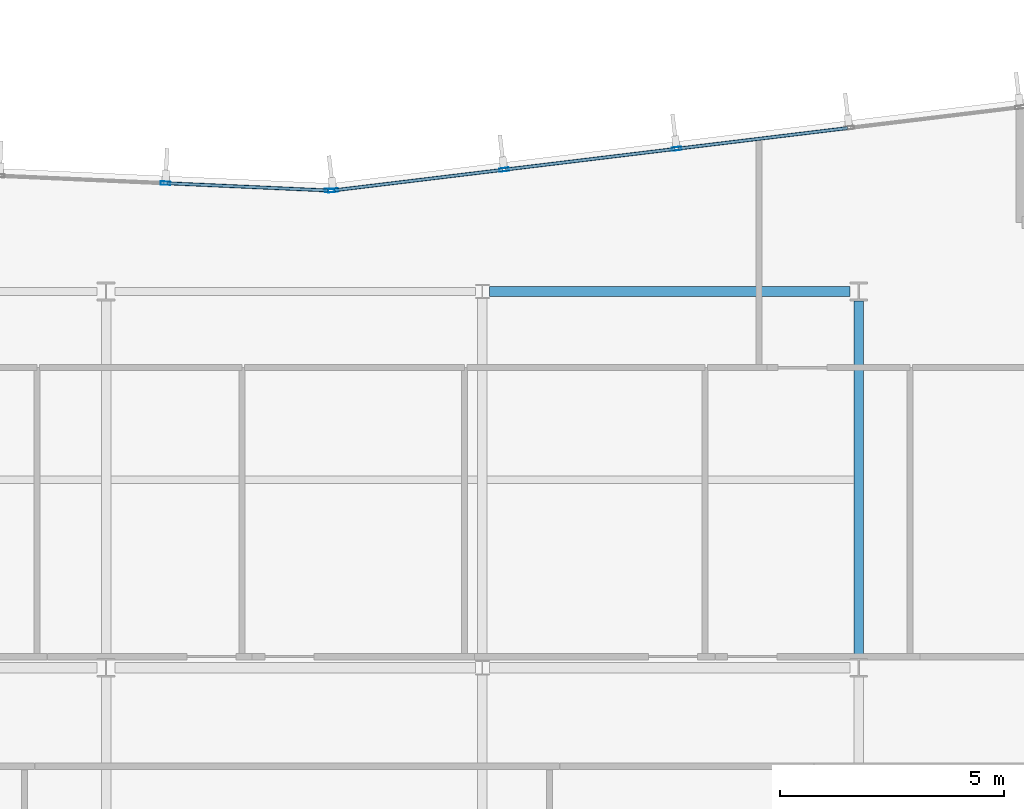
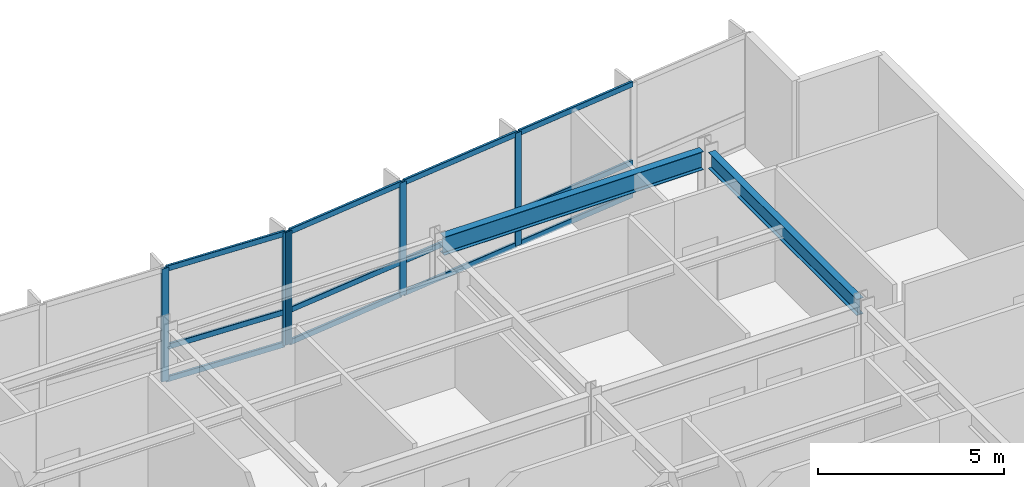
# One storey, part 6 of 17: 17 members, 2 beams, 2 elements without a shape of their own.
"""IFC4 building model written with IfcOpenShell, lengths in metres."""

from ifc_helpers import new_model, si_unit, direction, frame, origin, origin_2d, place, context, subcontext, project, spatial, hollow_rectangle, i_section, extrude, material, layer, layer_set, material_profile, profile_set, type_object, element, aggregate, save


model = new_model("IFC4")

# Units and contexts
model_context = context("Model", 3, precision=1e-05, world=origin(), true_north=direction((0.0, 1.0)))
body_context = subcontext(model_context, "Body", "Model", "MODEL_VIEW")
ifc_project = project(units=[si_unit("LENGTHUNIT", "METRE"), si_unit("AREAUNIT", "SQUARE_METRE"), si_unit("VOLUMEUNIT", "CUBIC_METRE"), si_unit("PLANEANGLEUNIT", "RADIAN"), si_unit("MASSUNIT", "GRAM", prefix="KILO")], contexts=[model_context])

# Site, building, storey
site_placement = place(None, origin())
site = spatial("IfcSite", under=ifc_project, at=site_placement, CompositionType="ELEMENT")
building_placement = place(site_placement, origin())
building = spatial("IfcBuilding", under=site, at=building_placement, Name="Varnakote Quay Hospital", CompositionType="ELEMENT")
storey_placement = place(building_placement, frame((0.0, 0.0, 111.25)))
storey = spatial("IfcBuildingStorey", under=building, at=storey_placement, Name="L27", CompositionType="ELEMENT", Elevation=111.25)

# Beams
ifc_material_1 = material(Name="Structural steel AS/NZS 3679.1 Grade 350 L0 (fy 340 MPa)", Category="steel")
ifc_material_profile_1 = material_profile(ifc_material_1, i_section(OverallWidth=0.208984375, OverallDepth=0.532958984375, WebThickness=0.01025390625, FlangeThickness=0.015625, FilletRadius=0.013916015625, at=origin_2d()), Name="530UB92.4")
ifc_profile_set_1 = profile_set([ifc_material_profile_1], Name="Structural steel AS/NZS 3679.1 Grade 350 L0 (fy 340 MPa)")
beam_type_1 = type_object("IfcBeamType", Name="BM-STL-530UB92-4", PredefinedType="BEAM", material=ifc_profile_set_1)
beam_1_placement = place(storey_placement, frame((50.39990234375, 20.610107421875, 3.443603515625), z_axis=(0.0, 1.0, 0.0), x_axis=(-1.0, 0.0, 0.0)))
element("IfcBeam", 1, at=beam_1_placement, inside=storey, type_object=beam_type_1, Name="L27 Primary Tie Beam", PredefinedType="BEAM", context=body_context, shape_type="SweptSolid", body=[
    extrude(i_section(OverallWidth=0.208984375, OverallDepth=0.532958984375, WebThickness=0.01025390625, FlangeThickness=0.015625, FilletRadius=0.013916015625, at=origin_2d()), origin(), (0.0, 0.0, 1.0), 7.97998046875),
])
ifc_material_2 = material(Name="Structural steel AS/NZS 3679.1 Grade 350 L0 (fy 340 MPa)", Category="steel")
ifc_material_profile_2 = material_profile(ifc_material_2, i_section(OverallWidth=0.22802734375, OverallDepth=0.60205078125, WebThickness=0.010498046875, FlangeThickness=0.014892578125, FilletRadius=0.013916015625, at=origin_2d()), Name="610UB101")
ifc_profile_set_2 = profile_set([ifc_material_profile_2], Name="Structural steel AS/NZS 3679.1 Grade 350 L0 (fy 340 MPa)")
beam_type_2 = type_object("IfcBeamType", Name="BM-STL-610UB101", PredefinedType="BEAM", material=ifc_profile_set_2)
beam_2_placement = place(storey_placement, frame((42.154541015625, 28.800048828125, 3.408935546875), z_axis=(1.0, 0.0, 0.0), x_axis=(0.0, 1.0, 0.0)))
element("IfcBeam", 2, at=beam_2_placement, inside=storey, type_object=beam_type_2, Name="L27 Primary Floor Beam", PredefinedType="BEAM", context=body_context, shape_type="SweptSolid", body=[
    extrude(i_section(OverallWidth=0.22802734375, OverallDepth=0.60205078125, WebThickness=0.010498046875, FlangeThickness=0.014892578125, FilletRadius=0.013916015625, at=origin_2d()), origin(), (0.0, 0.0, 1.0), 8.04541015625),
])

# Curtain wall, members
ifc_material_3 = material(Name="Anodised aluminium 6063-T6 Bronze", Category="aluminium")
ifc_layer = layer(ifc_material_3, 0.205078125)
ifc_layer_set = layer_set([ifc_layer], Name="Anodised aluminium 6063-T6 Bronze")
curtain_wall_type = type_object("IfcCurtainWallType", Name="CW-SYS-3", PredefinedType="NOTDEFINED", material=ifc_layer_set)
curtain_wall_1_placement = place(storey_placement, origin())
curtain_wall_1 = element("IfcCurtainWall", 3, at=curtain_wall_1_placement, inside=storey, type_object=curtain_wall_type, Name="L27 Unitised Bronze Curtain Wall 1", PredefinedType="NOTDEFINED")
ifc_material_4 = material(Name="Anodised aluminium 6063-T6 Bronze", Category="aluminium")
ifc_material_profile_3 = material_profile(ifc_material_4, hollow_rectangle(XDim=0.074951171875, YDim=0.219970703125, WallThickness=0.00439453125, InnerFilletRadius=0.00439453125, OuterFilletRadius=0.009033203125, at=origin_2d()), Name="CW-MULL-220x75")
ifc_profile_set_3 = profile_set([ifc_material_profile_3], Name="Anodised aluminium 6063-T6 Bronze")
member_type_1 = type_object("IfcMemberType", Name="CW-MULL-220x75", PredefinedType="MULLION", material=ifc_profile_set_3)
member_1_placement = place(storey_placement, frame((46.3349609375, 31.985595703125, 0.0), z_axis=(0.0, 0.0, 1.0), x_axis=(0.12032713492, -0.992734295067, 0.0)))
member_1 = element("IfcMember", 4, at=member_1_placement, type_object=member_type_1, Name="-3-L27-1 mullion 3", PredefinedType="MULLION", context=body_context, shape_type="SweptSolid", body=[
    extrude(hollow_rectangle(XDim=0.074951171875, YDim=0.219970703125, WallThickness=0.00439453125, InnerFilletRadius=0.00439453125, OuterFilletRadius=0.009033203125, at=origin_2d()), origin(), (0.0, 0.0, 1.0), 3.7099609375),
])
member_2_placement = place(storey_placement, frame((42.482666015625, 31.5185546875, 0.0), z_axis=(0.0, 0.0, 1.0), x_axis=(0.12032713492, -0.992734295067, 0.0)))
member_2 = element("IfcMember", 5, at=member_2_placement, type_object=member_type_1, Name="-3-L27-1 mullion 4", PredefinedType="MULLION", context=body_context, shape_type="SweptSolid", body=[
    extrude(hollow_rectangle(XDim=0.074951171875, YDim=0.219970703125, WallThickness=0.00439453125, InnerFilletRadius=0.00439453125, OuterFilletRadius=0.009033203125, at=origin_2d()), origin(), (0.0, 0.0, 1.0), 3.7099609375),
])
member_3_placement = place(storey_placement, frame((38.667236328125, 31.05615234375, 0.0), z_axis=(0.0, 0.0, 1.0), x_axis=(0.12032713492, -0.992734295067, 0.0)))
member_3 = element("IfcMember", 6, at=member_3_placement, type_object=member_type_1, Name="-3-L27-1 mullion 5", PredefinedType="MULLION", context=body_context, shape_type="SweptSolid", body=[
    extrude(hollow_rectangle(XDim=0.074951171875, YDim=0.219970703125, WallThickness=0.00439453125, InnerFilletRadius=0.00439453125, OuterFilletRadius=0.009033203125, at=origin_2d()), origin(), (0.0, 0.0, 1.0), 3.7099609375),
])

curtain_wall_2_placement = place(storey_placement, origin())
curtain_wall_2 = element("IfcCurtainWall", 7, at=curtain_wall_2_placement, inside=storey, type_object=curtain_wall_type, Name="L27 Unitised Bronze Curtain Wall 2", PredefinedType="NOTDEFINED")
member_4_placement = place(storey_placement, frame((38.592529296875, 31.05322265625, 0.0), z_axis=(0.0, 0.0, 1.0), x_axis=(-0.044782334659, -0.998996768014, 0.0)))
member_4 = element("IfcMember", 8, at=member_4_placement, type_object=member_type_1, Name="-3-L27-2 mullion 1", PredefinedType="MULLION", context=body_context, shape_type="SweptSolid", body=[
    extrude(hollow_rectangle(XDim=0.074951171875, YDim=0.219970703125, WallThickness=0.00439453125, InnerFilletRadius=0.00439453125, OuterFilletRadius=0.009033203125, at=origin_2d()), origin(), (0.0, 0.0, 1.0), 3.7099609375),
])
member_5_placement = place(storey_placement, frame((34.927001953125, 31.217529296875, 0.0), z_axis=(0.0, 0.0, 1.0), x_axis=(-0.044782334659, -0.998996768014, 0.0)))
member_5 = element("IfcMember", 9, at=member_5_placement, type_object=member_type_1, Name="-3-L27-2 mullion 2", PredefinedType="MULLION", context=body_context, shape_type="SweptSolid", body=[
    extrude(hollow_rectangle(XDim=0.074951171875, YDim=0.219970703125, WallThickness=0.00439453125, InnerFilletRadius=0.00439453125, OuterFilletRadius=0.009033203125, at=origin_2d()), origin(), (0.0, 0.0, 1.0), 3.7099609375),
])

# Member
ifc_material_5 = material(Name="Anodised aluminium 6063-T6 Bronze", Category="aluminium")
ifc_material_profile_4 = material_profile(ifc_material_5, hollow_rectangle(XDim=0.074951171875, YDim=0.179931640625, WallThickness=0.004150390625, InnerFilletRadius=0.004150390625, OuterFilletRadius=0.00830078125, at=origin_2d()), Name="CW-TRAN-180x75")
ifc_profile_set_4 = profile_set([ifc_material_profile_4], Name="Anodised aluminium 6063-T6 Bronze")
member_type_2 = type_object("IfcMemberType", Name="CW-TRAN-180x75", PredefinedType="USERDEFINED", material=ifc_profile_set_4)
member_6_placement = place(storey_placement, frame((50.150390625, 32.447998046875, 0.03759765625), z_axis=(-0.992731924158, -0.120346694005, 0.0), x_axis=(0.120346694005, -0.992731924158, 0.0)))
member_6 = element("IfcMember", 10, at=member_6_placement, type_object=member_type_2, Name="-3-L27-1 transom 2.1", ObjectType="TRANSOM", PredefinedType="USERDEFINED", context=body_context, shape_type="SweptSolid", body=[
    extrude(hollow_rectangle(XDim=0.074951171875, YDim=0.179931640625, WallThickness=0.004150390625, InnerFilletRadius=0.004150390625, OuterFilletRadius=0.00830078125, at=origin_2d()), origin(), (0.0, 0.0, 1.0), 3.8056640625),
])

member_7_placement = place(storey_placement, frame((50.150390625, 32.447998046875, 1.10009765625), z_axis=(-0.992731924158, -0.120346694005, 0.0), x_axis=(0.120346694005, -0.992731924158, 0.0)))
member_7 = element("IfcMember", 11, at=member_7_placement, type_object=member_type_2, Name="-3-L27-1 transom 2.2", ObjectType="TRANSOM", PredefinedType="USERDEFINED", context=body_context, shape_type="SweptSolid", body=[
    extrude(hollow_rectangle(XDim=0.074951171875, YDim=0.179931640625, WallThickness=0.004150390625, InnerFilletRadius=0.004150390625, OuterFilletRadius=0.00830078125, at=origin_2d()), origin(), (0.0, 0.0, 1.0), 3.8056640625),
])

member_8_placement = place(storey_placement, frame((50.150390625, 32.447998046875, 3.672607421875), z_axis=(-0.992731924158, -0.120346694005, 0.0), x_axis=(0.120346694005, -0.992731924158, 0.0)))
member_8 = element("IfcMember", 12, at=member_8_placement, type_object=member_type_2, Name="-3-L27-1 transom 2.3", ObjectType="TRANSOM", PredefinedType="USERDEFINED", context=body_context, shape_type="SweptSolid", body=[
    extrude(hollow_rectangle(XDim=0.074951171875, YDim=0.179931640625, WallThickness=0.004150390625, InnerFilletRadius=0.004150390625, OuterFilletRadius=0.00830078125, at=origin_2d()), origin(), (0.0, 0.0, 1.0), 3.8056640625),
])

member_9_placement = place(storey_placement, frame((46.2978515625, 31.98095703125, 0.03759765625), z_axis=(-0.992731924158, -0.120346694005, 0.0), x_axis=(0.120346694005, -0.992731924158, 0.0)))
member_9 = element("IfcMember", 13, at=member_9_placement, type_object=member_type_2, Name="-3-L27-1 transom 3.1", ObjectType="TRANSOM", PredefinedType="USERDEFINED", context=body_context, shape_type="SweptSolid", body=[
    extrude(hollow_rectangle(XDim=0.074951171875, YDim=0.179931640625, WallThickness=0.004150390625, InnerFilletRadius=0.004150390625, OuterFilletRadius=0.00830078125, at=origin_2d()), origin(), (0.0, 0.0, 1.0), 3.8056640625),
])

member_10_placement = place(storey_placement, frame((46.2978515625, 31.98095703125, 1.10009765625), z_axis=(-0.992731924158, -0.120346694005, 0.0), x_axis=(0.120346694005, -0.992731924158, 0.0)))
member_10 = element("IfcMember", 14, at=member_10_placement, type_object=member_type_2, Name="-3-L27-1 transom 3.2", ObjectType="TRANSOM", PredefinedType="USERDEFINED", context=body_context, shape_type="SweptSolid", body=[
    extrude(hollow_rectangle(XDim=0.074951171875, YDim=0.179931640625, WallThickness=0.004150390625, InnerFilletRadius=0.004150390625, OuterFilletRadius=0.00830078125, at=origin_2d()), origin(), (0.0, 0.0, 1.0), 3.8056640625),
])

member_11_placement = place(storey_placement, frame((46.2978515625, 31.98095703125, 3.672607421875), z_axis=(-0.992731924158, -0.120346694005, 0.0), x_axis=(0.120346694005, -0.992731924158, 0.0)))
member_11 = element("IfcMember", 15, at=member_11_placement, type_object=member_type_2, Name="-3-L27-1 transom 3.3", ObjectType="TRANSOM", PredefinedType="USERDEFINED", context=body_context, shape_type="SweptSolid", body=[
    extrude(hollow_rectangle(XDim=0.074951171875, YDim=0.179931640625, WallThickness=0.004150390625, InnerFilletRadius=0.004150390625, OuterFilletRadius=0.00830078125, at=origin_2d()), origin(), (0.0, 0.0, 1.0), 3.8056640625),
])

member_12_placement = place(storey_placement, frame((42.4453125, 31.513916015625, 0.03759765625), z_axis=(-0.992735423717, -0.120317822859, 0.0), x_axis=(0.120317822859, -0.992735423717, 0.0)))
member_12 = element("IfcMember", 16, at=member_12_placement, type_object=member_type_2, Name="-3-L27-1 transom 4.1", ObjectType="TRANSOM", PredefinedType="USERDEFINED", context=body_context, shape_type="SweptSolid", body=[
    extrude(hollow_rectangle(XDim=0.074951171875, YDim=0.179931640625, WallThickness=0.004150390625, InnerFilletRadius=0.004150390625, OuterFilletRadius=0.00830078125, at=origin_2d()), origin(), (0.0, 0.0, 1.0), 3.76806640625),
])

member_13_placement = place(storey_placement, frame((42.4453125, 31.513916015625, 1.10009765625), z_axis=(-0.992735423717, -0.120317822859, 0.0), x_axis=(0.120317822859, -0.992735423717, 0.0)))
member_13 = element("IfcMember", 17, at=member_13_placement, type_object=member_type_2, Name="-3-L27-1 transom 4.2", ObjectType="TRANSOM", PredefinedType="USERDEFINED", context=body_context, shape_type="SweptSolid", body=[
    extrude(hollow_rectangle(XDim=0.074951171875, YDim=0.179931640625, WallThickness=0.004150390625, InnerFilletRadius=0.004150390625, OuterFilletRadius=0.00830078125, at=origin_2d()), origin(), (0.0, 0.0, 1.0), 3.76806640625),
])

member_14_placement = place(storey_placement, frame((42.4453125, 31.513916015625, 3.672607421875), z_axis=(-0.992735423717, -0.120317822859, 0.0), x_axis=(0.120317822859, -0.992735423717, 0.0)))
member_14 = element("IfcMember", 18, at=member_14_placement, type_object=member_type_2, Name="-3-L27-1 transom 4.3", ObjectType="TRANSOM", PredefinedType="USERDEFINED", context=body_context, shape_type="SweptSolid", body=[
    extrude(hollow_rectangle(XDim=0.074951171875, YDim=0.179931640625, WallThickness=0.004150390625, InnerFilletRadius=0.004150390625, OuterFilletRadius=0.00830078125, at=origin_2d()), origin(), (0.0, 0.0, 1.0), 3.76806640625),
])

aggregate(curtain_wall_1, [member_1, member_2, member_3, member_6, member_7, member_8, member_9, member_10, member_11, member_12, member_13, member_14])

member_15_placement = place(storey_placement, frame((38.55517578125, 31.054931640625, 0.03759765625), z_axis=(-0.998997740237, 0.044760641203, 0.0), x_axis=(-0.044760641203, -0.998997740237, 0.0)))
member_15 = element("IfcMember", 19, at=member_15_placement, type_object=member_type_2, Name="-3-L27-2 transom 1.1", ObjectType="TRANSOM", PredefinedType="USERDEFINED", context=body_context, shape_type="SweptSolid", body=[
    extrude(hollow_rectangle(XDim=0.074951171875, YDim=0.179931640625, WallThickness=0.004150390625, InnerFilletRadius=0.004150390625, OuterFilletRadius=0.00830078125, at=origin_2d()), origin(), (0.0, 0.0, 1.0), 3.594482421875),
])

member_16_placement = place(storey_placement, frame((38.55517578125, 31.054931640625, 1.10009765625), z_axis=(-0.998997740237, 0.044760641203, 0.0), x_axis=(-0.044760641203, -0.998997740237, 0.0)))
member_16 = element("IfcMember", 20, at=member_16_placement, type_object=member_type_2, Name="-3-L27-2 transom 1.2", ObjectType="TRANSOM", PredefinedType="USERDEFINED", context=body_context, shape_type="SweptSolid", body=[
    extrude(hollow_rectangle(XDim=0.074951171875, YDim=0.179931640625, WallThickness=0.004150390625, InnerFilletRadius=0.004150390625, OuterFilletRadius=0.00830078125, at=origin_2d()), origin(), (0.0, 0.0, 1.0), 3.594482421875),
])

member_17_placement = place(storey_placement, frame((38.55517578125, 31.054931640625, 3.672607421875), z_axis=(-0.998997740237, 0.044760641203, 0.0), x_axis=(-0.044760641203, -0.998997740237, 0.0)))
member_17 = element("IfcMember", 21, at=member_17_placement, type_object=member_type_2, Name="-3-L27-2 transom 1.3", ObjectType="TRANSOM", PredefinedType="USERDEFINED", context=body_context, shape_type="SweptSolid", body=[
    extrude(hollow_rectangle(XDim=0.074951171875, YDim=0.179931640625, WallThickness=0.004150390625, InnerFilletRadius=0.004150390625, OuterFilletRadius=0.00830078125, at=origin_2d()), origin(), (0.0, 0.0, 1.0), 3.594482421875),
])

aggregate(curtain_wall_2, [member_4, member_5, member_15, member_16, member_17])

save(model, "model.ifc")
